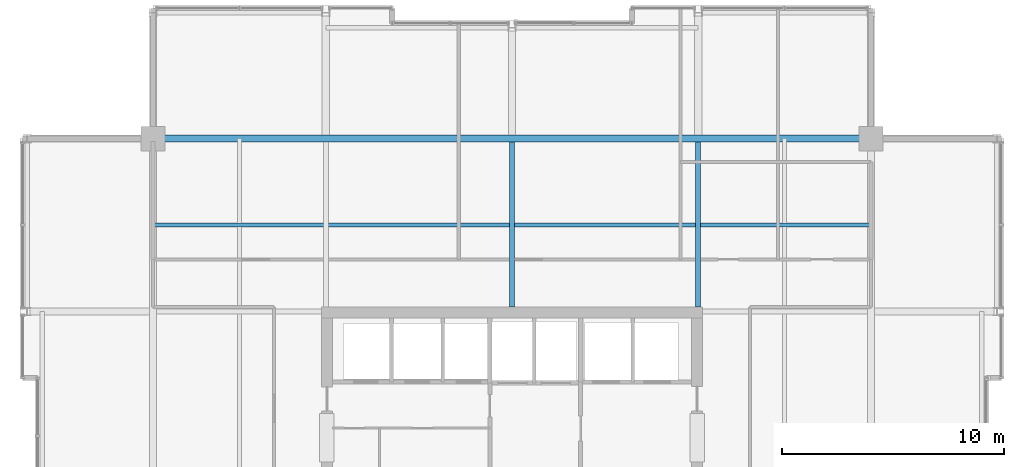
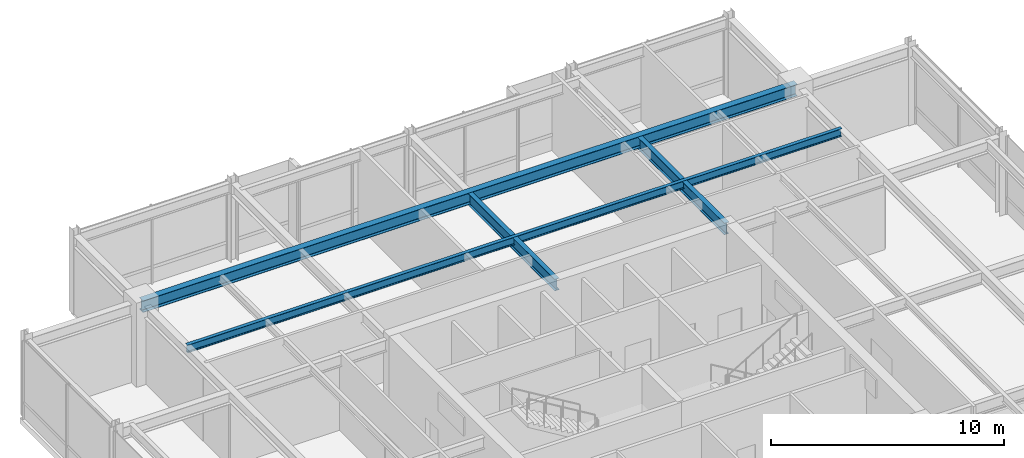
# One storey, part 23 of 34: 4 beams.
"""IFC4 building model written with IfcOpenShell, lengths in metres."""

from ifc_helpers import new_model, si_unit, direction, frame, origin, origin_2d, place, context, subcontext, project, spatial, i_section, extrude, material, material_profile, profile_set, type_object, element, save


model = new_model("IFC4")

# Units and contexts
model_context = context("Model", 3, precision=1e-05, world=origin(), true_north=direction((0.0, 1.0)))
body_context = subcontext(model_context, "Body", "Model", "MODEL_VIEW")
ifc_project = project(units=[si_unit("LENGTHUNIT", "METRE"), si_unit("AREAUNIT", "SQUARE_METRE"), si_unit("VOLUMEUNIT", "CUBIC_METRE"), si_unit("PLANEANGLEUNIT", "RADIAN"), si_unit("MASSUNIT", "GRAM", prefix="KILO")], contexts=[model_context])

# Site, building, storey
site_placement = place(None, origin())
site = spatial("IfcSite", under=ifc_project, at=site_placement, CompositionType="ELEMENT")
building_placement = place(site_placement, origin())
building = spatial("IfcBuilding", under=site, at=building_placement, Name="Drelvath Grand Hotel", CompositionType="ELEMENT")
storey_placement = place(building_placement, frame((0.0, 0.0, 294.199951171875)))
storey = spatial("IfcBuildingStorey", under=building, at=storey_placement, Name="L77", CompositionType="ELEMENT", Elevation=294.199951171875)

# Beams
ifc_material = material(Name="Steel ASTM A992 Gr 50", Category="steel")
ifc_material_profile_1 = material_profile(ifc_material, i_section(OverallWidth=0.177734375, OverallDepth=0.40673828125, WebThickness=0.0078125, FlangeThickness=0.0126953125, FilletRadius=0.014892578125, at=origin_2d()), Name="W16X40")
ifc_profile_set_1 = profile_set([ifc_material_profile_1], Name="Steel ASTM A992 Gr 50")
beam_type_1 = type_object("IfcBeamType", Name="Composite Floor Joist W16X40", PredefinedType="JOIST", material=ifc_profile_set_1)
beam_1_placement = place(storey_placement, frame((-16.199951171875, 39.300048828125, 3.896728515625), z_axis=(1.0, 0.0, 0.0), x_axis=(0.0, 1.0, 0.0)))
element("IfcBeam", 1, at=beam_1_placement, inside=storey, type_object=beam_type_1, Name="L77 Floor Joist J2", PredefinedType="JOIST", context=body_context, shape_type="SweptSolid", body=[
    extrude(i_section(OverallWidth=0.177734375, OverallDepth=0.40673828125, WebThickness=0.0078125, FlangeThickness=0.0126953125, FilletRadius=0.014892578125, at=origin_2d()), origin(), (0.0, 0.0, 1.0), 32.39990234375),
])
ifc_material_profile_2 = material_profile(ifc_material, i_section(OverallWidth=0.323974609375, OverallDepth=0.611083984375, WebThickness=0.0126953125, FlangeThickness=0.01904296875, FilletRadius=0.02197265625, at=origin_2d()), Name="W24X104")
ifc_profile_set_2 = profile_set([ifc_material_profile_2], Name="Steel ASTM A992 Gr 50")
beam_type_2 = type_object("IfcBeamType", Name="Primary Floor Girder W24X104", PredefinedType="BEAM", material=ifc_profile_set_2)
beam_2_placement = place(storey_placement, frame((-16.199951171875, 43.199951171875, 3.79443359375), z_axis=(1.0, 0.0, 0.0), x_axis=(0.0, 1.0, 0.0)))
element("IfcBeam", 2, at=beam_2_placement, inside=storey, type_object=beam_type_2, Name="L77 Mega Ring Girder North", PredefinedType="BEAM", context=body_context, shape_type="SweptSolid", body=[
    extrude(i_section(OverallWidth=0.323974609375, OverallDepth=0.611083984375, WebThickness=0.0126953125, FlangeThickness=0.01904296875, FilletRadius=0.02197265625, at=origin_2d()), origin(), (0.0, 0.0, 1.0), 32.39990234375),
])
ifc_material_profile_3 = material_profile(ifc_material, i_section(OverallWidth=0.228271484375, OverallDepth=0.607666015625, WebThickness=0.01123046875, FlangeThickness=0.017333984375, FilletRadius=0.02001953125, at=origin_2d()), Name="W24X76")
ifc_profile_set_3 = profile_set([ifc_material_profile_3], Name="Steel ASTM A992 Gr 50")
beam_type_3 = type_object("IfcBeamType", Name="Primary Floor Girder W24X76", PredefinedType="BEAM", material=ifc_profile_set_3)
for number, where, z_axis, x_axis, name in (
    (3, (0.0, 35.60009765625, 3.796142578125), (0.0, 1.0, 0.0), (-1.0, 0.0, 0.0), "L77 North Core Tie 5"),
    (4, (8.39990234375, 35.60009765625, 3.796142578125), (0.0, 1.0, 0.0), (-1.0, 0.0, 0.0), "L77 North Core Tie 6"),
):
    element("IfcBeam", number, at=place(storey_placement, frame(where, z_axis=z_axis, x_axis=x_axis)), inside=storey, type_object=beam_type_3, Name=name, PredefinedType="BEAM", context=body_context, shape_type="SweptSolid", body=[
        extrude(i_section(OverallWidth=0.228271484375, OverallDepth=0.607666015625, WebThickness=0.01123046875, FlangeThickness=0.017333984375, FilletRadius=0.02001953125, at=origin_2d()), origin(), (0.0, 0.0, 1.0), 7.43798828125),
    ])

save(model, "model.ifc")
